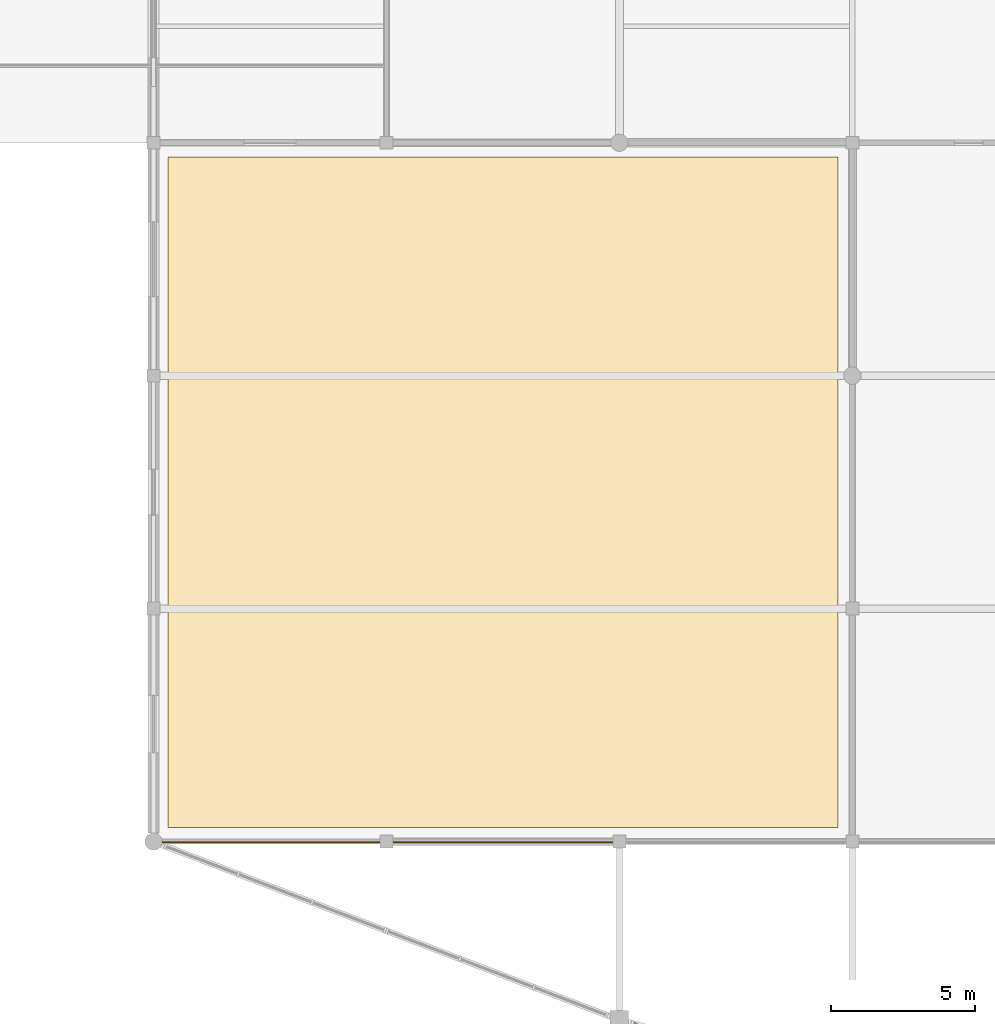
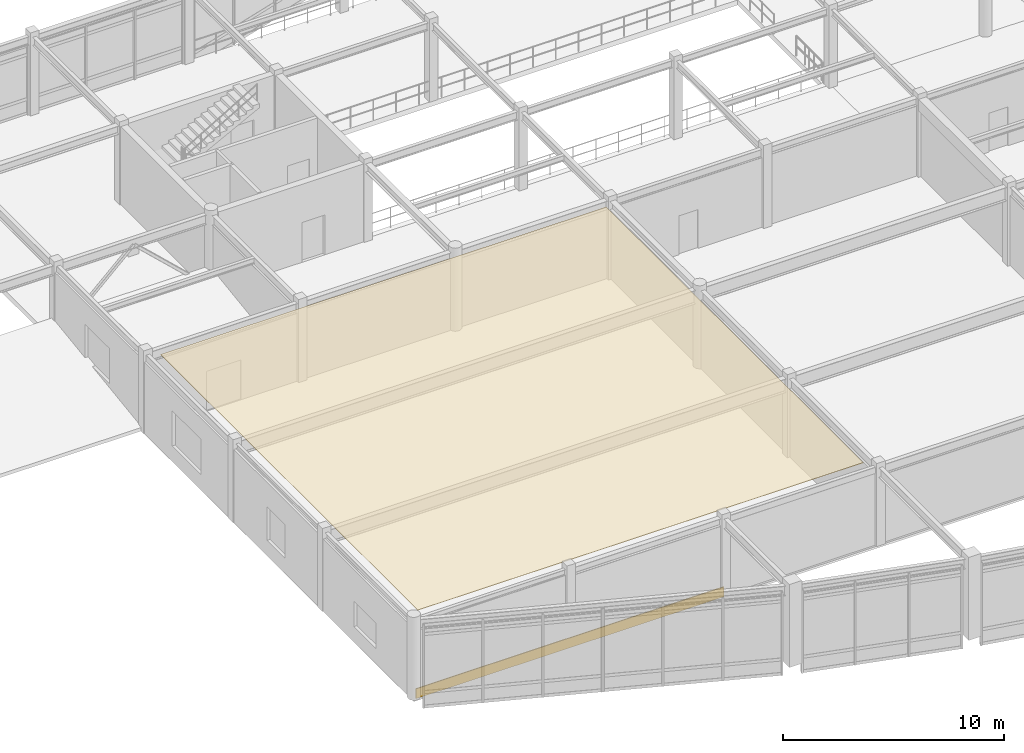
# One storey, part 84 of 93: 2 coverings.
"""IFC4 building model written with IfcOpenShell, lengths in metres."""

from ifc_helpers import new_model, si_unit, direction, frame, origin, origin_2d, place, context, subcontext, project, spatial, polyline, rectangle, outline, extrude, material, layer, layer_set, type_object, element, save


model = new_model("IFC4")

# Units and contexts
model_context = context("Model", 3, precision=1e-05, world=origin(), true_north=direction((0.0, 1.0)))
body_context = subcontext(model_context, "Body", "Model", "MODEL_VIEW")
ifc_project = project(units=[si_unit("LENGTHUNIT", "METRE"), si_unit("AREAUNIT", "SQUARE_METRE"), si_unit("VOLUMEUNIT", "CUBIC_METRE"), si_unit("PLANEANGLEUNIT", "RADIAN"), si_unit("MASSUNIT", "GRAM", prefix="KILO")], contexts=[model_context])

# Site, building, storey
site_placement = place(None, origin())
site = spatial("IfcSite", under=ifc_project, at=site_placement, CompositionType="ELEMENT")
building_placement = place(site_placement, origin())
building = spatial("IfcBuilding", under=site, at=building_placement, Name="Vaudrelin Polytechnic", CompositionType="ELEMENT")
storey_placement = place(building_placement, frame((0.0, 0.0, 5.10009765625)))
storey = spatial("IfcBuildingStorey", under=building, at=storey_placement, Name="L01", CompositionType="ELEMENT", Elevation=5.10009765625)

# Coverings
ifc_material_1 = material(Name="Mineral-fibre acoustic ceiling tile NRC 0.85", Category="ceiling")
ifc_layer_1 = layer(ifc_material_1, 0.02490234375)
ifc_layer_set_1 = layer_set([ifc_layer_1], Name="Mineral-fibre acoustic ceiling tile NRC 0.85")
covering_type_1 = type_object("IfcCoveringType", Name="COV-CLG-ACT", PredefinedType="CEILING", material=ifc_layer_set_1)
covering_1_placement = place(storey_placement, frame((0.0, 0.0, 4.284912109375)))
element("IfcCovering", 1, at=covering_1_placement, inside=storey, type_object=covering_type_1, Name="Acoustic ceiling L01-007", PredefinedType="CEILING", context=body_context, shape_type="SweptSolid", body=[
    extrude(outline(polyline([(41.0, 0.5), (64.300048828125, 0.5), (64.300048828125, 23.800048828125), (41.0, 23.800048828125), (41.0, 0.5)])), origin(), (0.0, 0.0, 1.0), 0.02490234375),
])
ifc_material_2 = material(Name="Pre-weathered quartz-zinc standing seam", Category="metal")
ifc_layer_2 = layer(ifc_material_2, 0.044921875)
ifc_layer_set_2 = layer_set([ifc_layer_2], Name="Pre-weathered quartz-zinc standing seam")
covering_type_2 = type_object("IfcCoveringType", Name="ENV-CLD-ZNC", PredefinedType="CLADDING", material=ifc_layer_set_2)
covering_2_placement = place(storey_placement, frame((48.64990234375, -0.02001953125, -0.125), z_axis=(0.0, 0.0, 1.0), x_axis=(1.0, 0.0, 0.0)))
element("IfcCovering", 2, at=covering_2_placement, inside=storey, type_object=covering_type_2, Name="Standing-seam zinc fascia cladding CLD-01", PredefinedType="CLADDING", context=body_context, shape_type="SweptSolid", body=[
    extrude(rectangle(XDim=16.10009765625, YDim=0.044921875, at=origin_2d()), origin(), (0.0, 0.0, 1.0), 0.550048828125),
])

save(model, "model.ifc")
